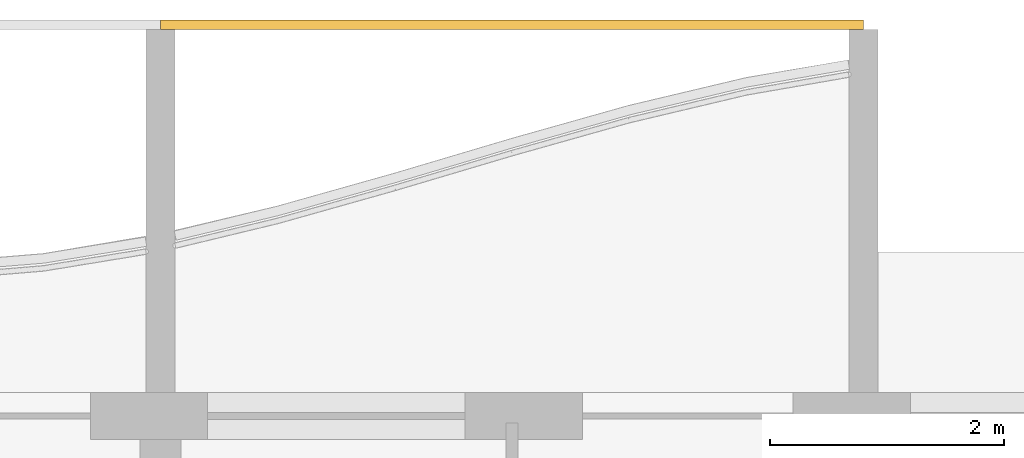
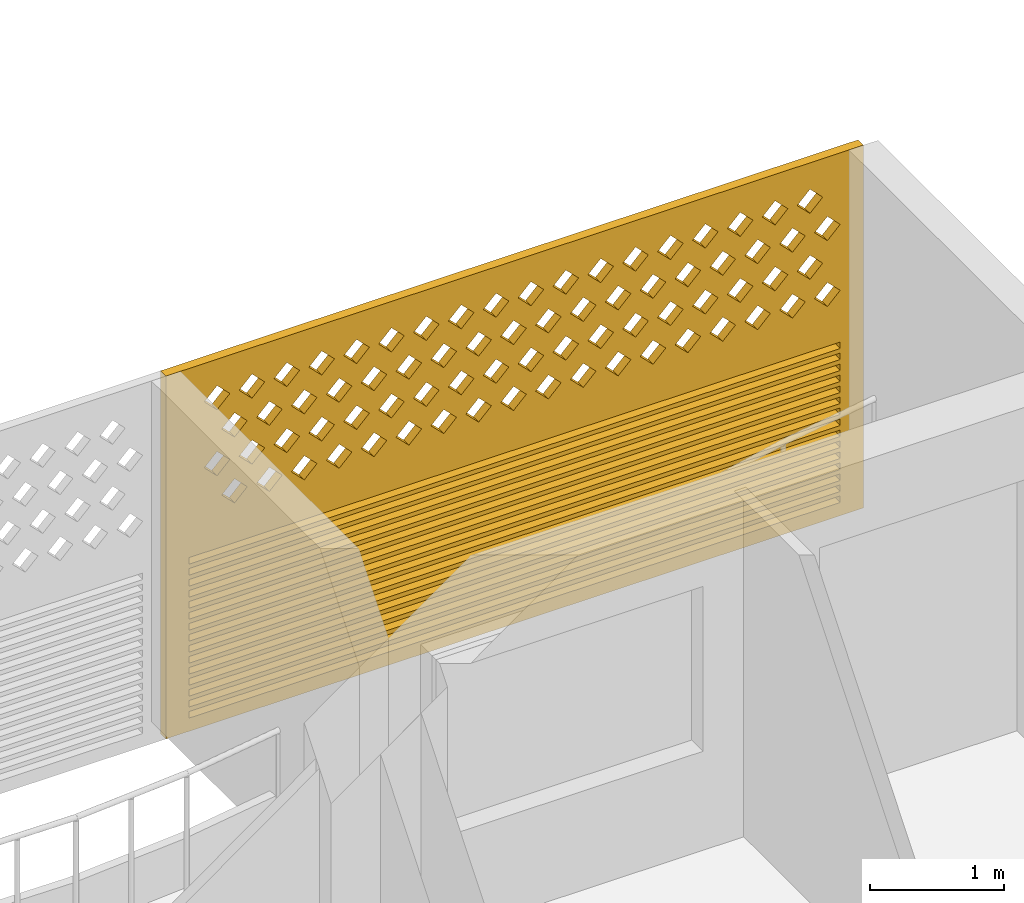
# One storey, part 21 of 28: 1 covering.
"""IFC4 building model written with IfcOpenShell, lengths in metres."""

from ifc_helpers import new_model, si_unit, direction, frame, origin, place, context, subcontext, project, spatial, polyline, outline, extrude, source, transform, mapped, material, material_profile, profile_set, type_object, element, save


model = new_model("IFC4")

# Units and contexts
model_context = context("Model", 3, precision=1e-05, world=origin(), true_north=direction((0.0, 1.0)))
body_context = subcontext(model_context, "Body", "Model", "MODEL_VIEW")
ifc_project = project(units=[si_unit("LENGTHUNIT", "METRE"), si_unit("AREAUNIT", "SQUARE_METRE"), si_unit("VOLUMEUNIT", "CUBIC_METRE"), si_unit("PLANEANGLEUNIT", "RADIAN"), si_unit("MASSUNIT", "GRAM", prefix="KILO")], contexts=[model_context])

# Site, building, storey
site_placement = place(None, origin())
site = spatial("IfcSite", under=ifc_project, at=site_placement, CompositionType="ELEMENT")
building_placement = place(site_placement, origin())
building = spatial("IfcBuilding", under=site, at=building_placement, Name="Poui Terraces", CompositionType="ELEMENT")
storey_placement = place(building_placement, frame((0.0, 0.0, 72.89990234375)))
storey = spatial("IfcBuildingStorey", under=building, at=storey_placement, Name="L19", CompositionType="ELEMENT", Elevation=72.89990234375)

# Covering
ifc_material = material(Name="Terracotta screen", Category="masonry")
ifc_material_profile = material_profile(ifc_material, outline(polyline([(-3.0, -1.64990234375), (3.0, -1.64990234375), (3.0, 1.64990234375), (-3.0, 1.64990234375), (-3.0, -1.64990234375)]), holes=[polyline([(-2.800048828125, 0.39990234375), (-2.68994140625, 0.2900390625), (-2.580078125, 0.39990234375), (-2.68994140625, 0.510009765625), (-2.800048828125, 0.39990234375)]), polyline([(-2.5, 0.39990234375), (-2.389892578125, 0.2900390625), (-2.280029296875, 0.39990234375), (-2.389892578125, 0.510009765625), (-2.5, 0.39990234375)]), polyline([(-2.199951171875, 0.39990234375), (-2.090087890625, 0.2900390625), (-1.97998046875, 0.39990234375), (-2.090087890625, 0.510009765625), (-2.199951171875, 0.39990234375)]), polyline([(-1.89990234375, 0.39990234375), (-1.7900390625, 0.2900390625), (-1.679931640625, 0.39990234375), (-1.7900390625, 0.510009765625), (-1.89990234375, 0.39990234375)]), polyline([(-1.60009765625, 0.39990234375), (-1.489990234375, 0.2900390625), (-1.3798828125, 0.39990234375), (-1.489990234375, 0.510009765625), (-1.60009765625, 0.39990234375)]), polyline([(-1.300048828125, 0.39990234375), (-1.18994140625, 0.2900390625), (-1.080078125, 0.39990234375), (-1.18994140625, 0.510009765625), (-1.300048828125, 0.39990234375)]), polyline([(-1.0, 0.39990234375), (-0.889892578125, 0.2900390625), (-0.780029296875, 0.39990234375), (-0.889892578125, 0.510009765625), (-1.0, 0.39990234375)]), polyline([(-0.699951171875, 0.39990234375), (-0.590087890625, 0.2900390625), (-0.47998046875, 0.39990234375), (-0.590087890625, 0.510009765625), (-0.699951171875, 0.39990234375)]), polyline([(-0.39990234375, 0.39990234375), (-0.2900390625, 0.2900390625), (-0.179931640625, 0.39990234375), (-0.2900390625, 0.510009765625), (-0.39990234375, 0.39990234375)]), polyline([(-0.10009765625, 0.39990234375), (0.010009765625, 0.2900390625), (0.1201171875, 0.39990234375), (0.010009765625, 0.510009765625), (-0.10009765625, 0.39990234375)]), polyline([(0.199951171875, 0.39990234375), (0.31005859375, 0.2900390625), (0.419921875, 0.39990234375), (0.31005859375, 0.510009765625), (0.199951171875, 0.39990234375)]), polyline([(0.5, 0.39990234375), (0.610107421875, 0.2900390625), (0.719970703125, 0.39990234375), (0.610107421875, 0.510009765625), (0.5, 0.39990234375)]), polyline([(0.800048828125, 0.39990234375), (0.909912109375, 0.2900390625), (1.02001953125, 0.39990234375), (0.909912109375, 0.510009765625), (0.800048828125, 0.39990234375)]), polyline([(1.10009765625, 0.39990234375), (1.2099609375, 0.2900390625), (1.320068359375, 0.39990234375), (1.2099609375, 0.510009765625), (1.10009765625, 0.39990234375)]), polyline([(1.39990234375, 0.39990234375), (1.510009765625, 0.2900390625), (1.6201171875, 0.39990234375), (1.510009765625, 0.510009765625), (1.39990234375, 0.39990234375)]), polyline([(1.699951171875, 0.39990234375), (1.81005859375, 0.2900390625), (1.919921875, 0.39990234375), (1.81005859375, 0.510009765625), (1.699951171875, 0.39990234375)]), polyline([(2.0, 0.39990234375), (2.110107421875, 0.2900390625), (2.219970703125, 0.39990234375), (2.110107421875, 0.510009765625), (2.0, 0.39990234375)]), polyline([(2.300048828125, 0.39990234375), (2.409912109375, 0.2900390625), (2.52001953125, 0.39990234375), (2.409912109375, 0.510009765625), (2.300048828125, 0.39990234375)]), polyline([(-2.64990234375, 0.699951171875), (-2.5400390625, 0.590087890625), (-2.429931640625, 0.699951171875), (-2.5400390625, 0.81005859375), (-2.64990234375, 0.699951171875)]), polyline([(-2.35009765625, 0.699951171875), (-2.239990234375, 0.590087890625), (-2.1298828125, 0.699951171875), (-2.239990234375, 0.81005859375), (-2.35009765625, 0.699951171875)]), polyline([(-2.050048828125, 0.699951171875), (-1.93994140625, 0.590087890625), (-1.830078125, 0.699951171875), (-1.93994140625, 0.81005859375), (-2.050048828125, 0.699951171875)]), polyline([(-1.75, 0.699951171875), (-1.639892578125, 0.590087890625), (-1.530029296875, 0.699951171875), (-1.639892578125, 0.81005859375), (-1.75, 0.699951171875)]), polyline([(-1.449951171875, 0.699951171875), (-1.340087890625, 0.590087890625), (-1.22998046875, 0.699951171875), (-1.340087890625, 0.81005859375), (-1.449951171875, 0.699951171875)]), polyline([(-1.14990234375, 0.699951171875), (-1.0400390625, 0.590087890625), (-0.929931640625, 0.699951171875), (-1.0400390625, 0.81005859375), (-1.14990234375, 0.699951171875)]), polyline([(-0.85009765625, 0.699951171875), (-0.739990234375, 0.590087890625), (-0.6298828125, 0.699951171875), (-0.739990234375, 0.81005859375), (-0.85009765625, 0.699951171875)]), polyline([(-0.550048828125, 0.699951171875), (-0.43994140625, 0.590087890625), (-0.330078125, 0.699951171875), (-0.43994140625, 0.81005859375), (-0.550048828125, 0.699951171875)]), polyline([(-0.25, 0.699951171875), (-0.139892578125, 0.590087890625), (-0.030029296875, 0.699951171875), (-0.139892578125, 0.81005859375), (-0.25, 0.699951171875)]), polyline([(0.050048828125, 0.699951171875), (0.159912109375, 0.590087890625), (0.27001953125, 0.699951171875), (0.159912109375, 0.81005859375), (0.050048828125, 0.699951171875)]), polyline([(0.35009765625, 0.699951171875), (0.4599609375, 0.590087890625), (0.570068359375, 0.699951171875), (0.4599609375, 0.81005859375), (0.35009765625, 0.699951171875)]), polyline([(0.64990234375, 0.699951171875), (0.760009765625, 0.590087890625), (0.8701171875, 0.699951171875), (0.760009765625, 0.81005859375), (0.64990234375, 0.699951171875)]), polyline([(0.949951171875, 0.699951171875), (1.06005859375, 0.590087890625), (1.169921875, 0.699951171875), (1.06005859375, 0.81005859375), (0.949951171875, 0.699951171875)]), polyline([(1.25, 0.699951171875), (1.360107421875, 0.590087890625), (1.469970703125, 0.699951171875), (1.360107421875, 0.81005859375), (1.25, 0.699951171875)]), polyline([(1.550048828125, 0.699951171875), (1.659912109375, 0.590087890625), (1.77001953125, 0.699951171875), (1.659912109375, 0.81005859375), (1.550048828125, 0.699951171875)]), polyline([(1.85009765625, 0.699951171875), (1.9599609375, 0.590087890625), (2.070068359375, 0.699951171875), (1.9599609375, 0.81005859375), (1.85009765625, 0.699951171875)]), polyline([(2.14990234375, 0.699951171875), (2.260009765625, 0.590087890625), (2.3701171875, 0.699951171875), (2.260009765625, 0.81005859375), (2.14990234375, 0.699951171875)]), polyline([(2.449951171875, 0.699951171875), (2.56005859375, 0.590087890625), (2.669921875, 0.699951171875), (2.56005859375, 0.81005859375), (2.449951171875, 0.699951171875)]), polyline([(-2.800048828125, 1.0), (-2.68994140625, 0.889892578125), (-2.580078125, 1.0), (-2.68994140625, 1.110107421875), (-2.800048828125, 1.0)]), polyline([(-2.5, 1.0), (-2.389892578125, 0.889892578125), (-2.280029296875, 1.0), (-2.389892578125, 1.110107421875), (-2.5, 1.0)]), polyline([(-2.199951171875, 1.0), (-2.090087890625, 0.889892578125), (-1.97998046875, 1.0), (-2.090087890625, 1.110107421875), (-2.199951171875, 1.0)]), polyline([(-1.89990234375, 1.0), (-1.7900390625, 0.889892578125), (-1.679931640625, 1.0), (-1.7900390625, 1.110107421875), (-1.89990234375, 1.0)]), polyline([(-1.60009765625, 1.0), (-1.489990234375, 0.889892578125), (-1.3798828125, 1.0), (-1.489990234375, 1.110107421875), (-1.60009765625, 1.0)]), polyline([(-1.300048828125, 1.0), (-1.18994140625, 0.889892578125), (-1.080078125, 1.0), (-1.18994140625, 1.110107421875), (-1.300048828125, 1.0)]), polyline([(-1.0, 1.0), (-0.889892578125, 0.889892578125), (-0.780029296875, 1.0), (-0.889892578125, 1.110107421875), (-1.0, 1.0)]), polyline([(-0.699951171875, 1.0), (-0.590087890625, 0.889892578125), (-0.47998046875, 1.0), (-0.590087890625, 1.110107421875), (-0.699951171875, 1.0)]), polyline([(-0.39990234375, 1.0), (-0.2900390625, 0.889892578125), (-0.179931640625, 1.0), (-0.2900390625, 1.110107421875), (-0.39990234375, 1.0)]), polyline([(-0.10009765625, 1.0), (0.010009765625, 0.889892578125), (0.1201171875, 1.0), (0.010009765625, 1.110107421875), (-0.10009765625, 1.0)]), polyline([(0.199951171875, 1.0), (0.31005859375, 0.889892578125), (0.419921875, 1.0), (0.31005859375, 1.110107421875), (0.199951171875, 1.0)]), polyline([(0.5, 1.0), (0.610107421875, 0.889892578125), (0.719970703125, 1.0), (0.610107421875, 1.110107421875), (0.5, 1.0)]), polyline([(0.800048828125, 1.0), (0.909912109375, 0.889892578125), (1.02001953125, 1.0), (0.909912109375, 1.110107421875), (0.800048828125, 1.0)]), polyline([(1.10009765625, 1.0), (1.2099609375, 0.889892578125), (1.320068359375, 1.0), (1.2099609375, 1.110107421875), (1.10009765625, 1.0)]), polyline([(1.39990234375, 1.0), (1.510009765625, 0.889892578125), (1.6201171875, 1.0), (1.510009765625, 1.110107421875), (1.39990234375, 1.0)]), polyline([(1.699951171875, 1.0), (1.81005859375, 0.889892578125), (1.919921875, 1.0), (1.81005859375, 1.110107421875), (1.699951171875, 1.0)]), polyline([(2.0, 1.0), (2.110107421875, 0.889892578125), (2.219970703125, 1.0), (2.110107421875, 1.110107421875), (2.0, 1.0)]), polyline([(2.300048828125, 1.0), (2.409912109375, 0.889892578125), (2.52001953125, 1.0), (2.409912109375, 1.110107421875), (2.300048828125, 1.0)]), polyline([(-2.64990234375, 1.300048828125), (-2.5400390625, 1.18994140625), (-2.429931640625, 1.300048828125), (-2.5400390625, 1.409912109375), (-2.64990234375, 1.300048828125)]), polyline([(-2.35009765625, 1.300048828125), (-2.239990234375, 1.18994140625), (-2.1298828125, 1.300048828125), (-2.239990234375, 1.409912109375), (-2.35009765625, 1.300048828125)]), polyline([(-2.050048828125, 1.300048828125), (-1.93994140625, 1.18994140625), (-1.830078125, 1.300048828125), (-1.93994140625, 1.409912109375), (-2.050048828125, 1.300048828125)]), polyline([(-1.75, 1.300048828125), (-1.639892578125, 1.18994140625), (-1.530029296875, 1.300048828125), (-1.639892578125, 1.409912109375), (-1.75, 1.300048828125)]), polyline([(-1.449951171875, 1.300048828125), (-1.340087890625, 1.18994140625), (-1.22998046875, 1.300048828125), (-1.340087890625, 1.409912109375), (-1.449951171875, 1.300048828125)]), polyline([(-1.14990234375, 1.300048828125), (-1.0400390625, 1.18994140625), (-0.929931640625, 1.300048828125), (-1.0400390625, 1.409912109375), (-1.14990234375, 1.300048828125)]), polyline([(-0.85009765625, 1.300048828125), (-0.739990234375, 1.18994140625), (-0.6298828125, 1.300048828125), (-0.739990234375, 1.409912109375), (-0.85009765625, 1.300048828125)]), polyline([(-0.550048828125, 1.300048828125), (-0.43994140625, 1.18994140625), (-0.330078125, 1.300048828125), (-0.43994140625, 1.409912109375), (-0.550048828125, 1.300048828125)]), polyline([(-0.25, 1.300048828125), (-0.139892578125, 1.18994140625), (-0.030029296875, 1.300048828125), (-0.139892578125, 1.409912109375), (-0.25, 1.300048828125)]), polyline([(0.050048828125, 1.300048828125), (0.159912109375, 1.18994140625), (0.27001953125, 1.300048828125), (0.159912109375, 1.409912109375), (0.050048828125, 1.300048828125)]), polyline([(0.35009765625, 1.300048828125), (0.4599609375, 1.18994140625), (0.570068359375, 1.300048828125), (0.4599609375, 1.409912109375), (0.35009765625, 1.300048828125)]), polyline([(0.64990234375, 1.300048828125), (0.760009765625, 1.18994140625), (0.8701171875, 1.300048828125), (0.760009765625, 1.409912109375), (0.64990234375, 1.300048828125)]), polyline([(0.949951171875, 1.300048828125), (1.06005859375, 1.18994140625), (1.169921875, 1.300048828125), (1.06005859375, 1.409912109375), (0.949951171875, 1.300048828125)]), polyline([(1.25, 1.300048828125), (1.360107421875, 1.18994140625), (1.469970703125, 1.300048828125), (1.360107421875, 1.409912109375), (1.25, 1.300048828125)]), polyline([(1.550048828125, 1.300048828125), (1.659912109375, 1.18994140625), (1.77001953125, 1.300048828125), (1.659912109375, 1.409912109375), (1.550048828125, 1.300048828125)]), polyline([(1.85009765625, 1.300048828125), (1.9599609375, 1.18994140625), (2.070068359375, 1.300048828125), (1.9599609375, 1.409912109375), (1.85009765625, 1.300048828125)]), polyline([(2.14990234375, 1.300048828125), (2.260009765625, 1.18994140625), (2.3701171875, 1.300048828125), (2.260009765625, 1.409912109375), (2.14990234375, 1.300048828125)]), polyline([(2.449951171875, 1.300048828125), (2.56005859375, 1.18994140625), (2.669921875, 1.300048828125), (2.56005859375, 1.409912109375), (2.449951171875, 1.300048828125)]), polyline([(-2.800048828125, -1.530029296875), (2.800048828125, -1.530029296875), (2.800048828125, -1.469970703125), (-2.800048828125, -1.469970703125), (-2.800048828125, -1.530029296875)]), polyline([(-2.800048828125, -1.429931640625), (2.800048828125, -1.429931640625), (2.800048828125, -1.3701171875), (-2.800048828125, -1.3701171875), (-2.800048828125, -1.429931640625)]), polyline([(-2.800048828125, -1.330078125), (2.800048828125, -1.330078125), (2.800048828125, -1.27001953125), (-2.800048828125, -1.27001953125), (-2.800048828125, -1.330078125)]), polyline([(-2.800048828125, -1.22998046875), (2.800048828125, -1.22998046875), (2.800048828125, -1.169921875), (-2.800048828125, -1.169921875), (-2.800048828125, -1.22998046875)]), polyline([(-2.800048828125, -1.1298828125), (2.800048828125, -1.1298828125), (2.800048828125, -1.070068359375), (-2.800048828125, -1.070068359375), (-2.800048828125, -1.1298828125)]), polyline([(-2.800048828125, -1.030029296875), (2.800048828125, -1.030029296875), (2.800048828125, -0.969970703125), (-2.800048828125, -0.969970703125), (-2.800048828125, -1.030029296875)]), polyline([(-2.800048828125, -0.929931640625), (2.800048828125, -0.929931640625), (2.800048828125, -0.8701171875), (-2.800048828125, -0.8701171875), (-2.800048828125, -0.929931640625)]), polyline([(-2.800048828125, -0.830078125), (2.800048828125, -0.830078125), (2.800048828125, -0.77001953125), (-2.800048828125, -0.77001953125), (-2.800048828125, -0.830078125)]), polyline([(-2.800048828125, -0.72998046875), (2.800048828125, -0.72998046875), (2.800048828125, -0.669921875), (-2.800048828125, -0.669921875), (-2.800048828125, -0.72998046875)]), polyline([(-2.800048828125, -0.6298828125), (2.800048828125, -0.6298828125), (2.800048828125, -0.570068359375), (-2.800048828125, -0.570068359375), (-2.800048828125, -0.6298828125)]), polyline([(-2.800048828125, -0.530029296875), (2.800048828125, -0.530029296875), (2.800048828125, -0.469970703125), (-2.800048828125, -0.469970703125), (-2.800048828125, -0.530029296875)]), polyline([(-2.800048828125, -0.429931640625), (2.800048828125, -0.429931640625), (2.800048828125, -0.3701171875), (-2.800048828125, -0.3701171875), (-2.800048828125, -0.429931640625)]), polyline([(-2.800048828125, -0.330078125), (2.800048828125, -0.330078125), (2.800048828125, -0.27001953125), (-2.800048828125, -0.27001953125), (-2.800048828125, -0.330078125)]), polyline([(-2.800048828125, -0.22998046875), (2.800048828125, -0.22998046875), (2.800048828125, -0.169921875), (-2.800048828125, -0.169921875), (-2.800048828125, -0.22998046875)]), polyline([(-2.800048828125, -0.1298828125), (2.800048828125, -0.1298828125), (2.800048828125, -0.070068359375), (-2.800048828125, -0.070068359375), (-2.800048828125, -0.1298828125)])]), Name="TERRACOTTA SCREEN AND JALOUSIE LOUVRE 6000X3300")
ifc_profile_set = profile_set([ifc_material_profile], Name="Terracotta screen")
covering_type = type_object("IfcCoveringType", Name="TERRACOTTA SCREEN AND JALOUSIE LOUVRE 6000X3300", PredefinedType="CLADDING", material=ifc_profile_set)
shared_shape = source(origin(), body_context, "Body", "SweptSolid", [
    extrude(outline(polyline([(-3.0, -1.64990234375), (3.0, -1.64990234375), (3.0, 1.64990234375), (-3.0, 1.64990234375), (-3.0, -1.64990234375)]), holes=[polyline([(-2.800048828125, 0.39990234375), (-2.68994140625, 0.2900390625), (-2.580078125, 0.39990234375), (-2.68994140625, 0.510009765625), (-2.800048828125, 0.39990234375)]), polyline([(-2.5, 0.39990234375), (-2.389892578125, 0.2900390625), (-2.280029296875, 0.39990234375), (-2.389892578125, 0.510009765625), (-2.5, 0.39990234375)]), polyline([(-2.199951171875, 0.39990234375), (-2.090087890625, 0.2900390625), (-1.97998046875, 0.39990234375), (-2.090087890625, 0.510009765625), (-2.199951171875, 0.39990234375)]), polyline([(-1.89990234375, 0.39990234375), (-1.7900390625, 0.2900390625), (-1.679931640625, 0.39990234375), (-1.7900390625, 0.510009765625), (-1.89990234375, 0.39990234375)]), polyline([(-1.60009765625, 0.39990234375), (-1.489990234375, 0.2900390625), (-1.3798828125, 0.39990234375), (-1.489990234375, 0.510009765625), (-1.60009765625, 0.39990234375)]), polyline([(-1.300048828125, 0.39990234375), (-1.18994140625, 0.2900390625), (-1.080078125, 0.39990234375), (-1.18994140625, 0.510009765625), (-1.300048828125, 0.39990234375)]), polyline([(-1.0, 0.39990234375), (-0.889892578125, 0.2900390625), (-0.780029296875, 0.39990234375), (-0.889892578125, 0.510009765625), (-1.0, 0.39990234375)]), polyline([(-0.699951171875, 0.39990234375), (-0.590087890625, 0.2900390625), (-0.47998046875, 0.39990234375), (-0.590087890625, 0.510009765625), (-0.699951171875, 0.39990234375)]), polyline([(-0.39990234375, 0.39990234375), (-0.2900390625, 0.2900390625), (-0.179931640625, 0.39990234375), (-0.2900390625, 0.510009765625), (-0.39990234375, 0.39990234375)]), polyline([(-0.10009765625, 0.39990234375), (0.010009765625, 0.2900390625), (0.1201171875, 0.39990234375), (0.010009765625, 0.510009765625), (-0.10009765625, 0.39990234375)]), polyline([(0.199951171875, 0.39990234375), (0.31005859375, 0.2900390625), (0.419921875, 0.39990234375), (0.31005859375, 0.510009765625), (0.199951171875, 0.39990234375)]), polyline([(0.5, 0.39990234375), (0.610107421875, 0.2900390625), (0.719970703125, 0.39990234375), (0.610107421875, 0.510009765625), (0.5, 0.39990234375)]), polyline([(0.800048828125, 0.39990234375), (0.909912109375, 0.2900390625), (1.02001953125, 0.39990234375), (0.909912109375, 0.510009765625), (0.800048828125, 0.39990234375)]), polyline([(1.10009765625, 0.39990234375), (1.2099609375, 0.2900390625), (1.320068359375, 0.39990234375), (1.2099609375, 0.510009765625), (1.10009765625, 0.39990234375)]), polyline([(1.39990234375, 0.39990234375), (1.510009765625, 0.2900390625), (1.6201171875, 0.39990234375), (1.510009765625, 0.510009765625), (1.39990234375, 0.39990234375)]), polyline([(1.699951171875, 0.39990234375), (1.81005859375, 0.2900390625), (1.919921875, 0.39990234375), (1.81005859375, 0.510009765625), (1.699951171875, 0.39990234375)]), polyline([(2.0, 0.39990234375), (2.110107421875, 0.2900390625), (2.219970703125, 0.39990234375), (2.110107421875, 0.510009765625), (2.0, 0.39990234375)]), polyline([(2.300048828125, 0.39990234375), (2.409912109375, 0.2900390625), (2.52001953125, 0.39990234375), (2.409912109375, 0.510009765625), (2.300048828125, 0.39990234375)]), polyline([(-2.64990234375, 0.699951171875), (-2.5400390625, 0.590087890625), (-2.429931640625, 0.699951171875), (-2.5400390625, 0.81005859375), (-2.64990234375, 0.699951171875)]), polyline([(-2.35009765625, 0.699951171875), (-2.239990234375, 0.590087890625), (-2.1298828125, 0.699951171875), (-2.239990234375, 0.81005859375), (-2.35009765625, 0.699951171875)]), polyline([(-2.050048828125, 0.699951171875), (-1.93994140625, 0.590087890625), (-1.830078125, 0.699951171875), (-1.93994140625, 0.81005859375), (-2.050048828125, 0.699951171875)]), polyline([(-1.75, 0.699951171875), (-1.639892578125, 0.590087890625), (-1.530029296875, 0.699951171875), (-1.639892578125, 0.81005859375), (-1.75, 0.699951171875)]), polyline([(-1.449951171875, 0.699951171875), (-1.340087890625, 0.590087890625), (-1.22998046875, 0.699951171875), (-1.340087890625, 0.81005859375), (-1.449951171875, 0.699951171875)]), polyline([(-1.14990234375, 0.699951171875), (-1.0400390625, 0.590087890625), (-0.929931640625, 0.699951171875), (-1.0400390625, 0.81005859375), (-1.14990234375, 0.699951171875)]), polyline([(-0.85009765625, 0.699951171875), (-0.739990234375, 0.590087890625), (-0.6298828125, 0.699951171875), (-0.739990234375, 0.81005859375), (-0.85009765625, 0.699951171875)]), polyline([(-0.550048828125, 0.699951171875), (-0.43994140625, 0.590087890625), (-0.330078125, 0.699951171875), (-0.43994140625, 0.81005859375), (-0.550048828125, 0.699951171875)]), polyline([(-0.25, 0.699951171875), (-0.139892578125, 0.590087890625), (-0.030029296875, 0.699951171875), (-0.139892578125, 0.81005859375), (-0.25, 0.699951171875)]), polyline([(0.050048828125, 0.699951171875), (0.159912109375, 0.590087890625), (0.27001953125, 0.699951171875), (0.159912109375, 0.81005859375), (0.050048828125, 0.699951171875)]), polyline([(0.35009765625, 0.699951171875), (0.4599609375, 0.590087890625), (0.570068359375, 0.699951171875), (0.4599609375, 0.81005859375), (0.35009765625, 0.699951171875)]), polyline([(0.64990234375, 0.699951171875), (0.760009765625, 0.590087890625), (0.8701171875, 0.699951171875), (0.760009765625, 0.81005859375), (0.64990234375, 0.699951171875)]), polyline([(0.949951171875, 0.699951171875), (1.06005859375, 0.590087890625), (1.169921875, 0.699951171875), (1.06005859375, 0.81005859375), (0.949951171875, 0.699951171875)]), polyline([(1.25, 0.699951171875), (1.360107421875, 0.590087890625), (1.469970703125, 0.699951171875), (1.360107421875, 0.81005859375), (1.25, 0.699951171875)]), polyline([(1.550048828125, 0.699951171875), (1.659912109375, 0.590087890625), (1.77001953125, 0.699951171875), (1.659912109375, 0.81005859375), (1.550048828125, 0.699951171875)]), polyline([(1.85009765625, 0.699951171875), (1.9599609375, 0.590087890625), (2.070068359375, 0.699951171875), (1.9599609375, 0.81005859375), (1.85009765625, 0.699951171875)]), polyline([(2.14990234375, 0.699951171875), (2.260009765625, 0.590087890625), (2.3701171875, 0.699951171875), (2.260009765625, 0.81005859375), (2.14990234375, 0.699951171875)]), polyline([(2.449951171875, 0.699951171875), (2.56005859375, 0.590087890625), (2.669921875, 0.699951171875), (2.56005859375, 0.81005859375), (2.449951171875, 0.699951171875)]), polyline([(-2.800048828125, 1.0), (-2.68994140625, 0.889892578125), (-2.580078125, 1.0), (-2.68994140625, 1.110107421875), (-2.800048828125, 1.0)]), polyline([(-2.5, 1.0), (-2.389892578125, 0.889892578125), (-2.280029296875, 1.0), (-2.389892578125, 1.110107421875), (-2.5, 1.0)]), polyline([(-2.199951171875, 1.0), (-2.090087890625, 0.889892578125), (-1.97998046875, 1.0), (-2.090087890625, 1.110107421875), (-2.199951171875, 1.0)]), polyline([(-1.89990234375, 1.0), (-1.7900390625, 0.889892578125), (-1.679931640625, 1.0), (-1.7900390625, 1.110107421875), (-1.89990234375, 1.0)]), polyline([(-1.60009765625, 1.0), (-1.489990234375, 0.889892578125), (-1.3798828125, 1.0), (-1.489990234375, 1.110107421875), (-1.60009765625, 1.0)]), polyline([(-1.300048828125, 1.0), (-1.18994140625, 0.889892578125), (-1.080078125, 1.0), (-1.18994140625, 1.110107421875), (-1.300048828125, 1.0)]), polyline([(-1.0, 1.0), (-0.889892578125, 0.889892578125), (-0.780029296875, 1.0), (-0.889892578125, 1.110107421875), (-1.0, 1.0)]), polyline([(-0.699951171875, 1.0), (-0.590087890625, 0.889892578125), (-0.47998046875, 1.0), (-0.590087890625, 1.110107421875), (-0.699951171875, 1.0)]), polyline([(-0.39990234375, 1.0), (-0.2900390625, 0.889892578125), (-0.179931640625, 1.0), (-0.2900390625, 1.110107421875), (-0.39990234375, 1.0)]), polyline([(-0.10009765625, 1.0), (0.010009765625, 0.889892578125), (0.1201171875, 1.0), (0.010009765625, 1.110107421875), (-0.10009765625, 1.0)]), polyline([(0.199951171875, 1.0), (0.31005859375, 0.889892578125), (0.419921875, 1.0), (0.31005859375, 1.110107421875), (0.199951171875, 1.0)]), polyline([(0.5, 1.0), (0.610107421875, 0.889892578125), (0.719970703125, 1.0), (0.610107421875, 1.110107421875), (0.5, 1.0)]), polyline([(0.800048828125, 1.0), (0.909912109375, 0.889892578125), (1.02001953125, 1.0), (0.909912109375, 1.110107421875), (0.800048828125, 1.0)]), polyline([(1.10009765625, 1.0), (1.2099609375, 0.889892578125), (1.320068359375, 1.0), (1.2099609375, 1.110107421875), (1.10009765625, 1.0)]), polyline([(1.39990234375, 1.0), (1.510009765625, 0.889892578125), (1.6201171875, 1.0), (1.510009765625, 1.110107421875), (1.39990234375, 1.0)]), polyline([(1.699951171875, 1.0), (1.81005859375, 0.889892578125), (1.919921875, 1.0), (1.81005859375, 1.110107421875), (1.699951171875, 1.0)]), polyline([(2.0, 1.0), (2.110107421875, 0.889892578125), (2.219970703125, 1.0), (2.110107421875, 1.110107421875), (2.0, 1.0)]), polyline([(2.300048828125, 1.0), (2.409912109375, 0.889892578125), (2.52001953125, 1.0), (2.409912109375, 1.110107421875), (2.300048828125, 1.0)]), polyline([(-2.64990234375, 1.300048828125), (-2.5400390625, 1.18994140625), (-2.429931640625, 1.300048828125), (-2.5400390625, 1.409912109375), (-2.64990234375, 1.300048828125)]), polyline([(-2.35009765625, 1.300048828125), (-2.239990234375, 1.18994140625), (-2.1298828125, 1.300048828125), (-2.239990234375, 1.409912109375), (-2.35009765625, 1.300048828125)]), polyline([(-2.050048828125, 1.300048828125), (-1.93994140625, 1.18994140625), (-1.830078125, 1.300048828125), (-1.93994140625, 1.409912109375), (-2.050048828125, 1.300048828125)]), polyline([(-1.75, 1.300048828125), (-1.639892578125, 1.18994140625), (-1.530029296875, 1.300048828125), (-1.639892578125, 1.409912109375), (-1.75, 1.300048828125)]), polyline([(-1.449951171875, 1.300048828125), (-1.340087890625, 1.18994140625), (-1.22998046875, 1.300048828125), (-1.340087890625, 1.409912109375), (-1.449951171875, 1.300048828125)]), polyline([(-1.14990234375, 1.300048828125), (-1.0400390625, 1.18994140625), (-0.929931640625, 1.300048828125), (-1.0400390625, 1.409912109375), (-1.14990234375, 1.300048828125)]), polyline([(-0.85009765625, 1.300048828125), (-0.739990234375, 1.18994140625), (-0.6298828125, 1.300048828125), (-0.739990234375, 1.409912109375), (-0.85009765625, 1.300048828125)]), polyline([(-0.550048828125, 1.300048828125), (-0.43994140625, 1.18994140625), (-0.330078125, 1.300048828125), (-0.43994140625, 1.409912109375), (-0.550048828125, 1.300048828125)]), polyline([(-0.25, 1.300048828125), (-0.139892578125, 1.18994140625), (-0.030029296875, 1.300048828125), (-0.139892578125, 1.409912109375), (-0.25, 1.300048828125)]), polyline([(0.050048828125, 1.300048828125), (0.159912109375, 1.18994140625), (0.27001953125, 1.300048828125), (0.159912109375, 1.409912109375), (0.050048828125, 1.300048828125)]), polyline([(0.35009765625, 1.300048828125), (0.4599609375, 1.18994140625), (0.570068359375, 1.300048828125), (0.4599609375, 1.409912109375), (0.35009765625, 1.300048828125)]), polyline([(0.64990234375, 1.300048828125), (0.760009765625, 1.18994140625), (0.8701171875, 1.300048828125), (0.760009765625, 1.409912109375), (0.64990234375, 1.300048828125)]), polyline([(0.949951171875, 1.300048828125), (1.06005859375, 1.18994140625), (1.169921875, 1.300048828125), (1.06005859375, 1.409912109375), (0.949951171875, 1.300048828125)]), polyline([(1.25, 1.300048828125), (1.360107421875, 1.18994140625), (1.469970703125, 1.300048828125), (1.360107421875, 1.409912109375), (1.25, 1.300048828125)]), polyline([(1.550048828125, 1.300048828125), (1.659912109375, 1.18994140625), (1.77001953125, 1.300048828125), (1.659912109375, 1.409912109375), (1.550048828125, 1.300048828125)]), polyline([(1.85009765625, 1.300048828125), (1.9599609375, 1.18994140625), (2.070068359375, 1.300048828125), (1.9599609375, 1.409912109375), (1.85009765625, 1.300048828125)]), polyline([(2.14990234375, 1.300048828125), (2.260009765625, 1.18994140625), (2.3701171875, 1.300048828125), (2.260009765625, 1.409912109375), (2.14990234375, 1.300048828125)]), polyline([(2.449951171875, 1.300048828125), (2.56005859375, 1.18994140625), (2.669921875, 1.300048828125), (2.56005859375, 1.409912109375), (2.449951171875, 1.300048828125)]), polyline([(-2.800048828125, -1.530029296875), (2.800048828125, -1.530029296875), (2.800048828125, -1.469970703125), (-2.800048828125, -1.469970703125), (-2.800048828125, -1.530029296875)]), polyline([(-2.800048828125, -1.429931640625), (2.800048828125, -1.429931640625), (2.800048828125, -1.3701171875), (-2.800048828125, -1.3701171875), (-2.800048828125, -1.429931640625)]), polyline([(-2.800048828125, -1.330078125), (2.800048828125, -1.330078125), (2.800048828125, -1.27001953125), (-2.800048828125, -1.27001953125), (-2.800048828125, -1.330078125)]), polyline([(-2.800048828125, -1.22998046875), (2.800048828125, -1.22998046875), (2.800048828125, -1.169921875), (-2.800048828125, -1.169921875), (-2.800048828125, -1.22998046875)]), polyline([(-2.800048828125, -1.1298828125), (2.800048828125, -1.1298828125), (2.800048828125, -1.070068359375), (-2.800048828125, -1.070068359375), (-2.800048828125, -1.1298828125)]), polyline([(-2.800048828125, -1.030029296875), (2.800048828125, -1.030029296875), (2.800048828125, -0.969970703125), (-2.800048828125, -0.969970703125), (-2.800048828125, -1.030029296875)]), polyline([(-2.800048828125, -0.929931640625), (2.800048828125, -0.929931640625), (2.800048828125, -0.8701171875), (-2.800048828125, -0.8701171875), (-2.800048828125, -0.929931640625)]), polyline([(-2.800048828125, -0.830078125), (2.800048828125, -0.830078125), (2.800048828125, -0.77001953125), (-2.800048828125, -0.77001953125), (-2.800048828125, -0.830078125)]), polyline([(-2.800048828125, -0.72998046875), (2.800048828125, -0.72998046875), (2.800048828125, -0.669921875), (-2.800048828125, -0.669921875), (-2.800048828125, -0.72998046875)]), polyline([(-2.800048828125, -0.6298828125), (2.800048828125, -0.6298828125), (2.800048828125, -0.570068359375), (-2.800048828125, -0.570068359375), (-2.800048828125, -0.6298828125)]), polyline([(-2.800048828125, -0.530029296875), (2.800048828125, -0.530029296875), (2.800048828125, -0.469970703125), (-2.800048828125, -0.469970703125), (-2.800048828125, -0.530029296875)]), polyline([(-2.800048828125, -0.429931640625), (2.800048828125, -0.429931640625), (2.800048828125, -0.3701171875), (-2.800048828125, -0.3701171875), (-2.800048828125, -0.429931640625)]), polyline([(-2.800048828125, -0.330078125), (2.800048828125, -0.330078125), (2.800048828125, -0.27001953125), (-2.800048828125, -0.27001953125), (-2.800048828125, -0.330078125)]), polyline([(-2.800048828125, -0.22998046875), (2.800048828125, -0.22998046875), (2.800048828125, -0.169921875), (-2.800048828125, -0.169921875), (-2.800048828125, -0.22998046875)]), polyline([(-2.800048828125, -0.1298828125), (2.800048828125, -0.1298828125), (2.800048828125, -0.070068359375), (-2.800048828125, -0.070068359375), (-2.800048828125, -0.1298828125)])]), origin(), (0.0, 0.0, 1.0), 0.080078125),
])
covering_placement = place(storey_placement, frame((33.0, 46.89990234375, 1.4501953125), z_axis=(0.0, 1.0, 0.0), x_axis=(-1.0, 0.0, 0.0)))
element("IfcCovering", 1, at=covering_placement, inside=storey, type_object=covering_type, Name="SOLAR SCREEN AND JALOUSIE LOUVRE", PredefinedType="CLADDING", context=body_context, shape_type="MappedRepresentation", body=[
    mapped(shared_shape, transform((0.0, 0.0, 0.0))),
])

save(model, "model.ifc")
